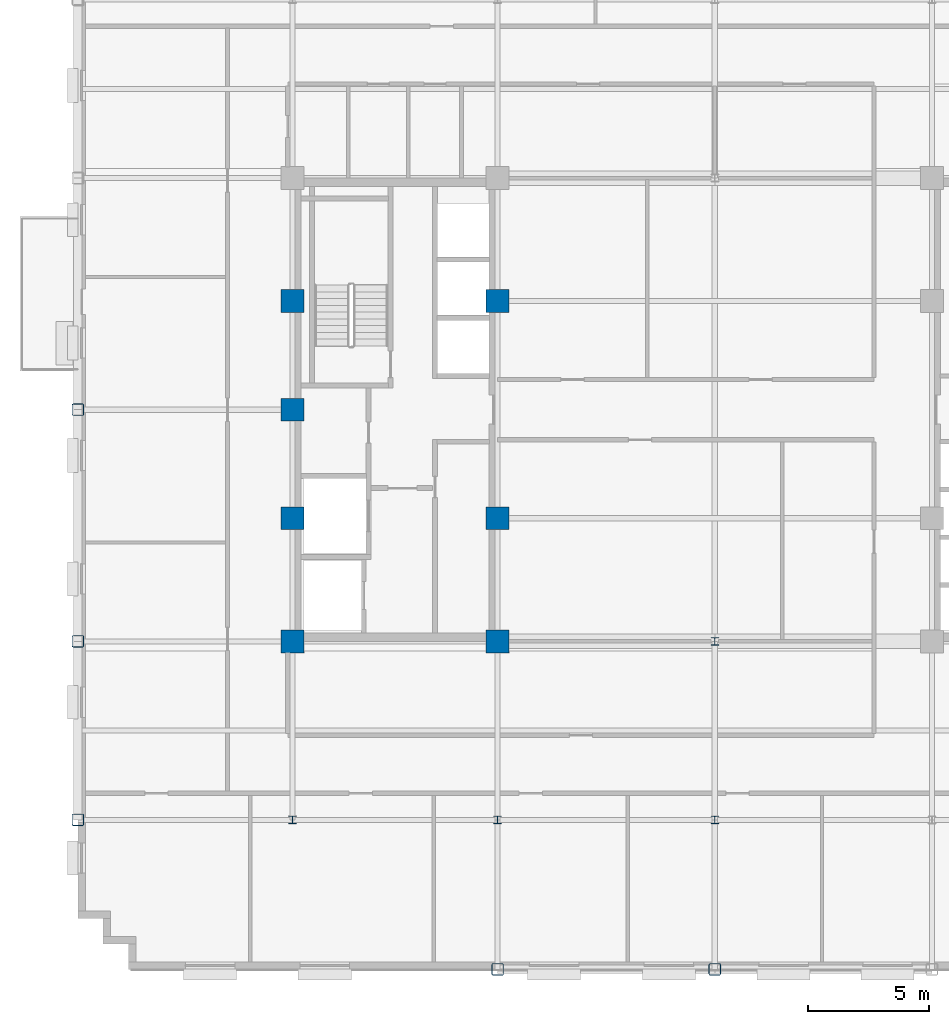
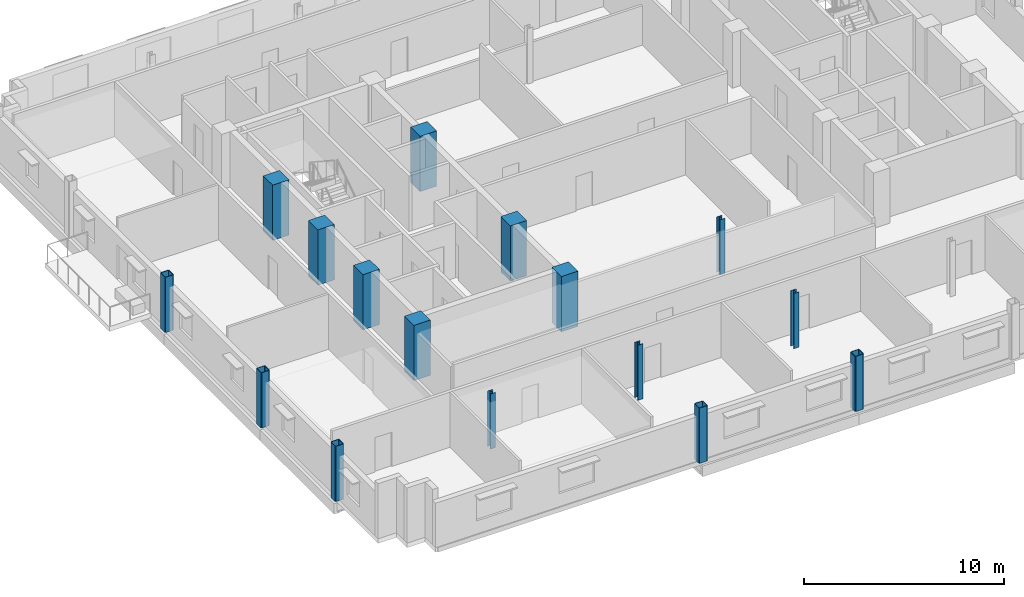
# One storey, part 1 of 15: 16 columns.
"""IFC4 building model written with IfcOpenShell, lengths in metres."""

from ifc_helpers import new_model, si_unit, direction, frame, origin, origin_2d, place, context, subcontext, project, spatial, rectangle, hollow_rectangle, i_section, extrude, material, material_profile, profile_set, type_object, element, save


model = new_model("IFC4")

# Units and contexts
model_context = context("Model", 3, precision=1e-05, world=origin(), true_north=direction((0.0, 1.0)))
body_context = subcontext(model_context, "Body", "Model", "MODEL_VIEW")
ifc_project = project(units=[si_unit("LENGTHUNIT", "METRE"), si_unit("AREAUNIT", "SQUARE_METRE"), si_unit("VOLUMEUNIT", "CUBIC_METRE"), si_unit("PLANEANGLEUNIT", "RADIAN"), si_unit("MASSUNIT", "GRAM", prefix="KILO")], contexts=[model_context])

# Site, building, storey
site_placement = place(None, origin())
site = spatial("IfcSite", under=ifc_project, at=site_placement, CompositionType="ELEMENT")
building_placement = place(site_placement, origin())
building = spatial("IfcBuilding", under=site, at=building_placement, Name="Nuvemarco Arch Tower", CompositionType="ELEMENT")
storey_placement = place(building_placement, frame((0.0, 0.0, 190.89990234375)))
storey = spatial("IfcBuildingStorey", under=building, at=storey_placement, Name="L50", CompositionType="ELEMENT", Elevation=190.89990234375)

# Columns
ifc_material_1 = material(Name="Concrete C50/60", Category="concrete")
ifc_material_profile_1 = material_profile(ifc_material_1, rectangle(XDim=0.949951171875, YDim=0.949951171875, at=origin_2d()), Name="RC-COL-950x950")
ifc_profile_set_1 = profile_set([ifc_material_profile_1], Name="Concrete C50/60")
column_type_1 = type_object("IfcColumnType", Name="COL-CORE-950", PredefinedType="COLUMN", material=ifc_profile_set_1)
for number, where, z_axis, x_axis, name in (
    (1, (-17.5, -9.60009765625, 0.0), (0.0, 0.0, 1.0), (1.0, 0.0, 0.0), "L50 column CC_-17.5_-9.6"),
    (2, (-17.5, -4.5, 0.0), (0.0, 0.0, 1.0), (1.0, 0.0, 0.0), "L50 column CC_-17.5_-4.5"),
    (3, (-17.5, 4.5, 0.0), (0.0, 0.0, 1.0), (1.0, 0.0, 0.0), "L50 column CC_-17.5_+4.5"),
    (4, (-9.0, -9.60009765625, 0.0), (0.0, 0.0, 1.0), (1.0, 0.0, 0.0), "L50 column CC_-9.0_-9.6"),
    (5, (-9.0, -4.5, 0.0), (0.0, 0.0, 1.0), (1.0, 0.0, 0.0), "L50 column CC_-9.0_-4.5"),
    (6, (-9.0, 4.5, 0.0), (0.0, 0.0, 1.0), (1.0, 0.0, 0.0), "L50 column CC_-9.0_+4.5"),
    (7, (-17.5, 0.0, 0.0), (0.0, 0.0, 1.0), (1.0, 0.0, 0.0), "L50 column CC_-17.5_+0.0"),
):
    element("IfcColumn", number, at=place(storey_placement, frame(where, z_axis=z_axis, x_axis=x_axis)), inside=storey, type_object=column_type_1, Name=name, PredefinedType="COLUMN", context=body_context, shape_type="SweptSolid", body=[
        extrude(rectangle(XDim=0.949951171875, YDim=0.949951171875, at=origin_2d()), origin(), (0.0, 0.0, 1.0), 3.3701171875),
    ])
ifc_material_2 = material(Name="Steel S355", Category="steel")
ifc_material_profile_2 = material_profile(ifc_material_2, hollow_rectangle(XDim=0.5, YDim=0.5, WallThickness=0.031982421875, InnerFilletRadius=0.031982421875, OuterFilletRadius=0.06396484375, at=origin_2d()), Name="SHS500x500x32")
ifc_profile_set_2 = profile_set([ifc_material_profile_2], Name="Steel S355")
column_type_2 = type_object("IfcColumnType", Name="COL-EXO-500", PredefinedType="COLUMN", material=ifc_profile_set_2)
for number, where, z_axis, x_axis, name in (
    (8, (-26.39990234375, -17.0, 0.0), (0.0, 0.0, 1.0), (1.0, 0.0, 0.0), "L50 column CX_-26.4_-17.0"),
    (9, (-26.39990234375, -9.60009765625, 0.0), (0.0, 0.0, 1.0), (1.0, 0.0, 0.0), "L50 column CX_-26.4_-9.6"),
    (10, (-26.39990234375, 0.0, 0.0), (0.0, 0.0, 1.0), (1.0, 0.0, 0.0), "L50 column CX_-26.4_+0.0"),
    (11, (-9.0, -23.199951171875, 0.0), (0.0, 0.0, 1.0), (1.0, 0.0, 0.0), "L50 column CY_-9.0_-23.2"),
    (12, (0.0, -23.199951171875, 0.0), (0.0, 0.0, 1.0), (1.0, 0.0, 0.0), "L50 column CY_+0.0_-23.2"),
):
    element("IfcColumn", number, at=place(storey_placement, frame(where, z_axis=z_axis, x_axis=x_axis)), inside=storey, type_object=column_type_2, Name=name, PredefinedType="COLUMN", context=body_context, shape_type="SweptSolid", body=[
        extrude(hollow_rectangle(XDim=0.5, YDim=0.5, WallThickness=0.031982421875, InnerFilletRadius=0.031982421875, OuterFilletRadius=0.06396484375, at=origin_2d()), origin(), (0.0, 0.0, 1.0), 3.3701171875),
    ])
ifc_material_profile_3 = material_profile(ifc_material_2, i_section(OverallWidth=0.31005859375, OverallDepth=0.31005859375, WebThickness=0.015380859375, FlangeThickness=0.015380859375, FilletRadius=0.014892578125, at=origin_2d()), Name="HP310x110")
ifc_profile_set_3 = profile_set([ifc_material_profile_3], Name="Steel S355")
column_type_3 = type_object("IfcColumnType", Name="COL-STL-HP310", PredefinedType="COLUMN", material=ifc_profile_set_3)
for number, where, z_axis, x_axis, name in (
    (13, (0.0, -17.0, 0.0), (0.0, 0.0, 1.0), (1.0, 0.0, 0.0), "L50 column CI_+0.0_-17.0"),
    (14, (0.0, -9.60009765625, 0.0), (0.0, 0.0, 1.0), (1.0, 0.0, 0.0), "L50 column CI_+0.0_-9.6"),
    (15, (-17.5, -17.0, 0.0), (0.0, 0.0, 1.0), (1.0, 0.0, 0.0), "L50 column CI_-17.5_-17.0"),
    (16, (-9.0, -17.0, 0.0), (0.0, 0.0, 1.0), (1.0, 0.0, 0.0), "L50 column CI_-9.0_-17.0"),
):
    element("IfcColumn", number, at=place(storey_placement, frame(where, z_axis=z_axis, x_axis=x_axis)), inside=storey, type_object=column_type_3, Name=name, PredefinedType="COLUMN", context=body_context, shape_type="SweptSolid", body=[
        extrude(i_section(OverallWidth=0.31005859375, OverallDepth=0.31005859375, WebThickness=0.015380859375, FlangeThickness=0.015380859375, FilletRadius=0.014892578125, at=origin_2d()), origin(), (0.0, 0.0, 1.0), 3.3701171875),
    ])

save(model, "model.ifc")
